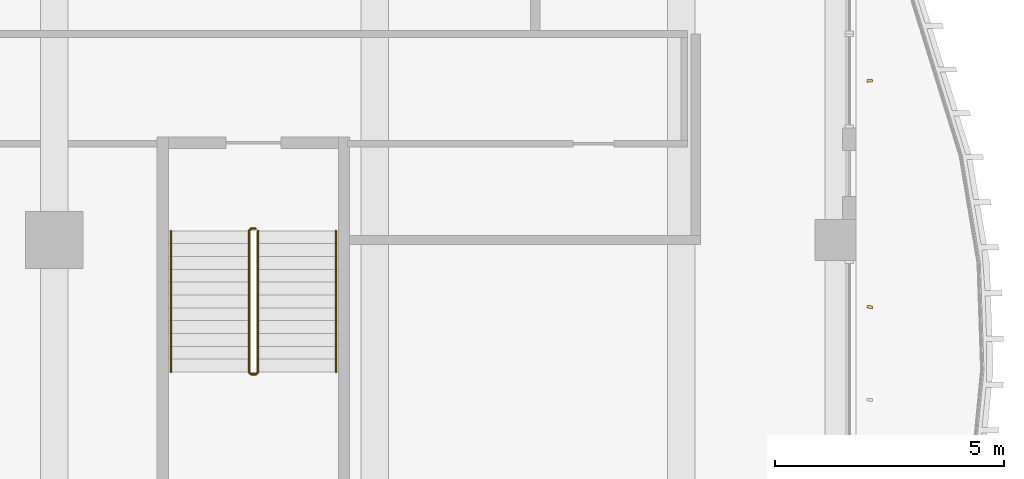
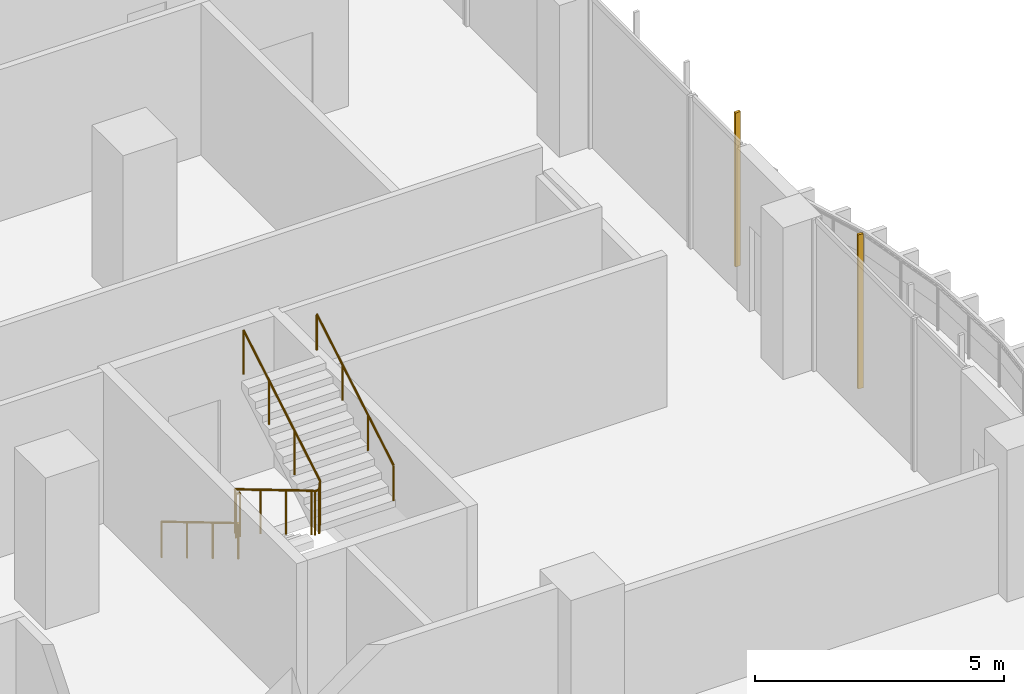
# One storey, part 21 of 25: 3 railings, 2 shading devices.
"""IFC4 building model written with IfcOpenShell, lengths in metres."""

from ifc_helpers import new_model, si_unit, direction, frame, origin, origin_2d, place, context, subcontext, project, spatial, rectangle, circle, extrude, source, transform, mapped, material, material_profile, profile_set, type_object, element, save


model = new_model("IFC4")

# Units and contexts
model_context = context("Model", 3, precision=1e-05, world=origin(), true_north=direction((0.0, 1.0)))
body_context = subcontext(model_context, "Body", "Model", "MODEL_VIEW")
ifc_project = project(units=[si_unit("LENGTHUNIT", "METRE"), si_unit("AREAUNIT", "SQUARE_METRE"), si_unit("VOLUMEUNIT", "CUBIC_METRE"), si_unit("PLANEANGLEUNIT", "RADIAN"), si_unit("MASSUNIT", "GRAM", prefix="KILO")], contexts=[model_context])

# Site, building, storey
site_placement = place(None, origin())
site = spatial("IfcSite", under=ifc_project, at=site_placement, CompositionType="ELEMENT")
building_placement = place(site_placement, origin())
building = spatial("IfcBuilding", under=site, at=building_placement, Name="Kilnfold Tower and Market Hall", CompositionType="ELEMENT")
storey_placement = place(building_placement, frame((0.0, 0.0, 67.199951171875)))
storey = spatial("IfcBuildingStorey", under=building, at=storey_placement, Name="L15", CompositionType="ELEMENT", Elevation=67.199951171875)

# Railings
ifc_material_1 = material(Name="Stainless steel 316", Category="steel")
railing_type_1 = type_object("IfcRailingType", Name="CORE STAIR GUARD 1100", PredefinedType="GUARDRAIL", material=ifc_material_1)
railing_1_placement = place(storey_placement, frame((19.89990234375, -9.75, 0.0)))
element("IfcRailing", 1, at=railing_1_placement, inside=storey, type_object=railing_type_1, Name="L15 ST4 stair guard 1", PredefinedType="GUARDRAIL", context=body_context, shape_type="SweptSolid", body=[
    extrude(circle(Radius=0.02392578125, at=origin_2d()), frame((0.0, 0.0, 1.076171875), z_axis=(-1.0, 0.0, 0.0), x_axis=(0.0, -1.0, 0.0)), (0.0, 0.0, 1.0), 0.099853515625),
    extrude(circle(Radius=0.02392578125, at=origin_2d()), frame((-0.099853515625, 0.0, 1.076171875), z_axis=(-0.27628659633, -0.27628659633, 0.920506074601), x_axis=(0.707106781187, -0.707106781187, 0.0)), (0.0, 0.0, 1.0), 0.18115234375),
    extrude(circle(Radius=0.02392578125, at=origin_2d()), frame((-0.14990234375, -0.050048828125, 1.24267578125), z_axis=(0.0, -0.859290745958, 0.51148745235), x_axis=(1.0, 0.0, 0.0)), (0.0, 0.0, 1.0), 3.584228515625),
    extrude(circle(Radius=0.02392578125, at=origin_2d()), frame((-0.14990234375, -3.1298828125, 3.076171875), z_axis=(0.707106781187, -0.707106781187, 0.0), x_axis=(0.707106781187, 0.707106781187, 0.0)), (0.0, 0.0, 1.0), 0.07080078125),
    extrude(circle(Radius=0.02392578125, at=origin_2d()), frame((-0.099853515625, -3.179931640625, 3.076171875), z_axis=(1.0, 0.0, 0.0), x_axis=(0.0, 1.0, 0.0)), (0.0, 0.0, 1.0), 0.099853515625),
    extrude(circle(Radius=0.02392578125, at=origin_2d()), frame((0.0, -3.179931640625, 3.076171875), z_axis=(0.27628659633, 0.27628659633, 0.920506074601), x_axis=(-0.707106781187, 0.707106781187, 0.0)), (0.0, 0.0, 1.0), 0.18115234375),
    extrude(circle(Radius=0.02392578125, at=origin_2d()), frame((0.050048828125, -3.1298828125, 3.24267578125), z_axis=(0.0, 0.859290745958, 0.51148745235), x_axis=(-1.0, 0.0, 0.0)), (0.0, 0.0, 1.0), 3.584228515625),
    extrude(circle(Radius=0.02099609375, at=origin_2d()), origin(), (0.0, 0.0, 1.0), 1.052001953125),
    extrude(circle(Radius=0.02099609375, at=origin_2d()), frame((-0.099853515625, 0.0, 0.0)), (0.0, 0.0, 1.0), 1.052001953125),
    extrude(circle(Radius=0.02099609375, at=origin_2d()), frame((-0.14990234375, -0.050048828125, 0.166748046875)), (0.0, 0.0, 1.0), 1.052001953125),
    extrude(circle(Radius=0.02099609375, at=origin_2d()), frame((-0.14990234375, -1.07666015625, 0.77783203125)), (0.0, 0.0, 1.0), 1.052001953125),
    extrude(circle(Radius=0.02099609375, at=origin_2d()), frame((-0.14990234375, -2.103271484375, 1.388916015625)), (0.0, 0.0, 1.0), 1.052001953125),
    extrude(circle(Radius=0.02099609375, at=origin_2d()), frame((-0.14990234375, -3.1298828125, 2.0)), (0.0, 0.0, 1.0), 1.052001953125),
    extrude(circle(Radius=0.02099609375, at=origin_2d()), frame((-0.099853515625, -3.179931640625, 2.0)), (0.0, 0.0, 1.0), 1.052001953125),
    extrude(circle(Radius=0.02099609375, at=origin_2d()), frame((0.0, -3.179931640625, 2.0)), (0.0, 0.0, 1.0), 1.052001953125),
    extrude(circle(Radius=0.02099609375, at=origin_2d()), frame((0.050048828125, -3.1298828125, 2.166748046875)), (0.0, 0.0, 1.0), 1.052001953125),
    extrude(circle(Radius=0.02099609375, at=origin_2d()), frame((0.050048828125, -2.103271484375, 2.77783203125)), (0.0, 0.0, 1.0), 1.052001953125),
    extrude(circle(Radius=0.02099609375, at=origin_2d()), frame((0.050048828125, -1.07666015625, 3.388916015625)), (0.0, 0.0, 1.0), 1.052001953125),
    extrude(circle(Radius=0.02099609375, at=origin_2d()), frame((0.050048828125, -0.050048828125, 4.0)), (0.0, 0.0, 1.0), 1.052001953125),
])
ifc_material_2 = material(Name="Stainless steel 316", Category="steel")
railing_type_2 = type_object("IfcRailingType", Name="CORE STAIR HANDRAIL 900", PredefinedType="HANDRAIL", material=ifc_material_2)
railing_2_placement = place(storey_placement, frame((18.050048828125, -9.800048828125, 0.166748046875)))
element("IfcRailing", 2, at=railing_2_placement, inside=storey, type_object=railing_type_2, Name="L15 ST4 stair handrail 1", PredefinedType="HANDRAIL", context=body_context, shape_type="SweptSolid", body=[
    extrude(circle(Radius=0.02392578125, at=origin_2d()), frame((0.0, 0.0, 0.8759765625), z_axis=(0.0, -0.859290745958, 0.51148745235), x_axis=(1.0, 0.0, 0.0)), (0.0, 0.0, 1.0), 3.584228515625),
    extrude(circle(Radius=0.02099609375, at=origin_2d()), origin(), (0.0, 0.0, 1.0), 0.851806640625),
    extrude(circle(Radius=0.02099609375, at=origin_2d()), frame((0.0, -1.026611328125, 0.611083984375)), (0.0, 0.0, 1.0), 0.851806640625),
    extrude(circle(Radius=0.02099609375, at=origin_2d()), frame((0.0, -2.05322265625, 1.22216796875)), (0.0, 0.0, 1.0), 0.851806640625),
    extrude(circle(Radius=0.02099609375, at=origin_2d()), frame((0.0, -3.079833984375, 1.833251953125)), (0.0, 0.0, 1.0), 0.851806640625),
])
railing_3_placement = place(storey_placement, frame((21.64990234375, -12.8798828125, 2.166748046875)))
element("IfcRailing", 3, at=railing_3_placement, inside=storey, type_object=railing_type_2, Name="L15 ST4 stair handrail 2", PredefinedType="HANDRAIL", context=body_context, shape_type="SweptSolid", body=[
    extrude(circle(Radius=0.02392578125, at=origin_2d()), frame((0.0, 0.0, 0.8759765625), z_axis=(0.0, 0.859290745958, 0.51148745235), x_axis=(-1.0, 0.0, 0.0)), (0.0, 0.0, 1.0), 3.584228515625),
    extrude(circle(Radius=0.02099609375, at=origin_2d()), origin(), (0.0, 0.0, 1.0), 0.851806640625),
    extrude(circle(Radius=0.02099609375, at=origin_2d()), frame((0.0, 1.026611328125, 0.611083984375)), (0.0, 0.0, 1.0), 0.851806640625),
    extrude(circle(Radius=0.02099609375, at=origin_2d()), frame((0.0, 2.05322265625, 1.22216796875)), (0.0, 0.0, 1.0), 0.851806640625),
    extrude(circle(Radius=0.02099609375, at=origin_2d()), frame((0.0, 3.079833984375, 1.833251953125)), (0.0, 0.0, 1.0), 0.851806640625),
])

# Shading devices
ifc_material_3 = material(Name="Terracotta", Category="masonry")
ifc_material_profile = material_profile(ifc_material_3, rectangle(XDim=0.06005859375, YDim=0.1201171875, at=origin_2d()), Name="BAG 60x120")
ifc_profile_set = profile_set([ifc_material_profile], Name="Terracotta")
shading_device_type = type_object("IfcShadingDeviceType", Name="BAGUETTE", PredefinedType="USERDEFINED", material=ifc_profile_set)
shared_shape = source(origin(), body_context, "Body", "SweptSolid", [
    extrude(rectangle(XDim=0.06005859375, YDim=0.1201171875, at=origin_2d()), origin(), (0.0, 0.0, 1.0), 3.780029296875),
])
for number, where, z_axis, x_axis, name in (
    (4, (33.300048828125, -11.46240234375, 0.0), (0.0, 0.0, 1.0), (0.137577659711, 0.990490983073, 0.0), "Terracotta baguette L15 E"),
    (5, (33.300048828125, -6.52490234375, 0.0), (0.0, 0.0, 1.0), (-0.066047504724, 0.997816479679, 0.0), "Terracotta baguette L15 E"),
):
    element("IfcShadingDevice", number, at=place(storey_placement, frame(where, z_axis=z_axis, x_axis=x_axis)), inside=storey, type_object=shading_device_type, Name=name, ObjectType="BAGUETTE", PredefinedType="USERDEFINED", context=body_context, shape_type="MappedRepresentation", body=[
        mapped(shared_shape, transform((0.0, 0.0, 0.0))),
    ])

save(model, "model.ifc")
